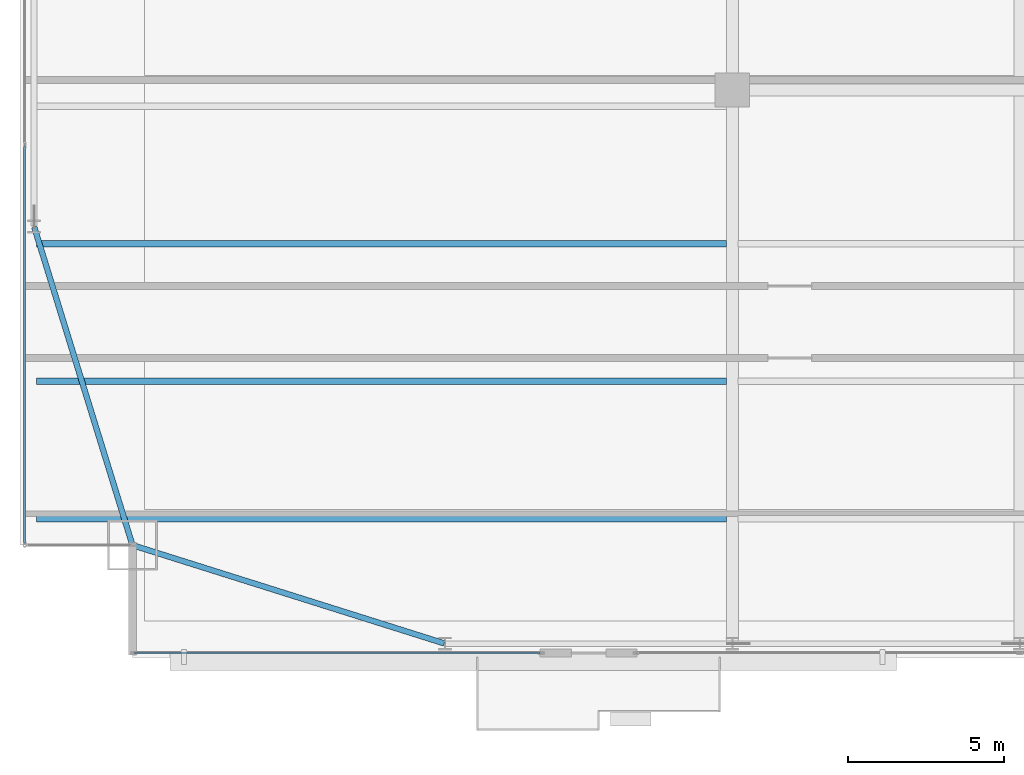
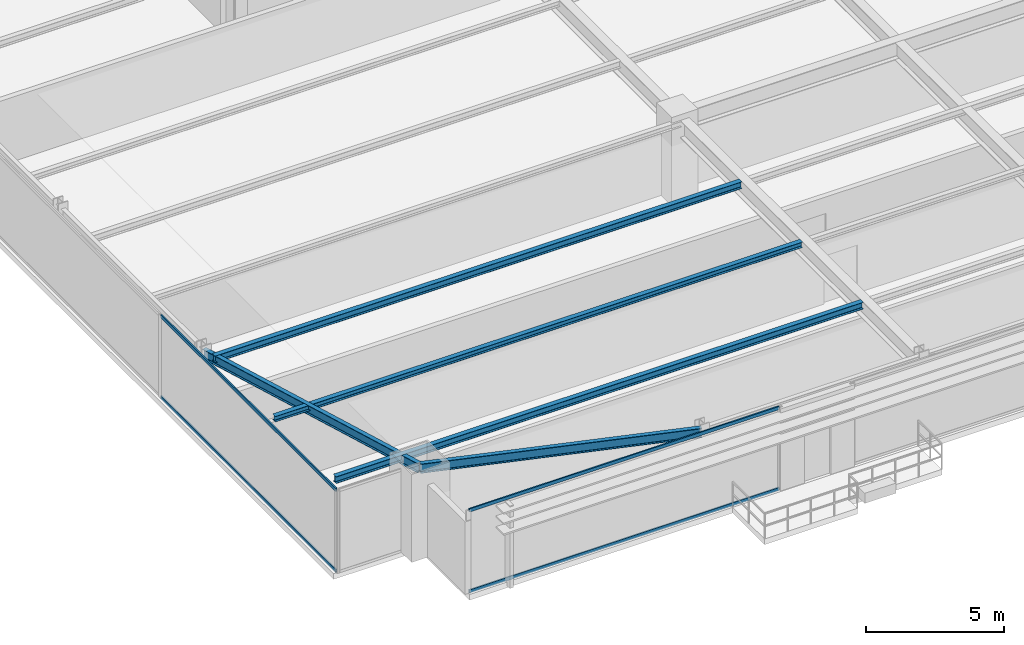
# One storey, part 4 of 31: 5 beams, 4 members, 2 elements without a shape of their own.
"""IFC4 building model written with IfcOpenShell, lengths in metres."""

from ifc_helpers import new_model, si_unit, direction, frame, origin, origin_2d, place, context, subcontext, project, spatial, hollow_rectangle, i_section, extrude, source, transform, mapped, material, layer, layer_set, material_profile, profile_set, type_object, type_shapes, element, aggregate, save


model = new_model("IFC4")

# Units and contexts
model_context = context("Model", 3, precision=1e-05, world=origin(), true_north=direction((0.0, 1.0)))
body_context = subcontext(model_context, "Body", "Model", "MODEL_VIEW")
ifc_project = project(units=[si_unit("LENGTHUNIT", "METRE"), si_unit("AREAUNIT", "SQUARE_METRE"), si_unit("VOLUMEUNIT", "CUBIC_METRE"), si_unit("PLANEANGLEUNIT", "RADIAN"), si_unit("MASSUNIT", "GRAM", prefix="KILO")], contexts=[model_context])

# Site, building, storey
site_placement = place(None, origin())
site = spatial("IfcSite", under=ifc_project, at=site_placement, CompositionType="ELEMENT")
building_placement = place(site_placement, origin())
building = spatial("IfcBuilding", under=site, at=building_placement, Name="Varnel Quay Broadcast Tower", CompositionType="ELEMENT")
storey_placement = place(building_placement, frame((0.0, 0.0, 39.300048828125)))
storey = spatial("IfcBuildingStorey", under=building, at=storey_placement, Name="L08", CompositionType="ELEMENT", Elevation=39.300048828125)

# Beams
ifc_material_1 = material(Name="Structural Steel CSA G40.21 350W", Category="steel")
ifc_material_profile_1 = material_profile(ifc_material_1, i_section(OverallWidth=0.180908203125, OverallDepth=0.4169921875, WebThickness=0.010986328125, FlangeThickness=0.018310546875, FilletRadius=0.011962890625, at=origin_2d()), Name="W410X85")
ifc_profile_set_1 = profile_set([ifc_material_profile_1], Name="Structural Steel CSA G40.21 350W")
beam_type_1 = type_object("IfcBeamType", Name="Beam_W410X85", PredefinedType="SPANDREL", material=ifc_profile_set_1)
shared_shape_1 = source(origin(), body_context, "Body", "SweptSolid", [
    extrude(i_section(OverallWidth=0.180908203125, OverallDepth=0.4169921875, WebThickness=0.010986328125, FlangeThickness=0.018310546875, FilletRadius=0.011962890625, at=origin_2d()), origin(), (0.0, 0.0, 1.0), 10.444091796875),
])
beam_1_placement = place(storey_placement, frame((5.619140625, 4.7939453125, 3.44140625), z_axis=(0.953798277271, -0.300447743003, 0.0), x_axis=(0.300447743003, 0.953798277271, 0.0)))
element("IfcBeam", 1, at=beam_1_placement, inside=storey, type_object=beam_type_1, Name="L08 South Spandrel MC-SW-TC-S1", PredefinedType="SPANDREL", context=body_context, shape_type="MappedRepresentation", body=[
    mapped(shared_shape_1, transform((0.0, 0.0, 0.0), x_axis=(1.0, 0.0, 0.0), y_axis=(0.0, 1.0, 0.0), z_axis=(0.0, 0.0, 1.0), scale=1.0)),
])
shared_shape_2 = source(origin(), body_context, "Body", "SweptSolid", [
    extrude(i_section(OverallWidth=0.180908203125, OverallDepth=0.4169921875, WebThickness=0.010986328125, FlangeThickness=0.018310546875, FilletRadius=0.011962890625, at=origin_2d()), origin(), (0.0, 0.0, 1.0), 10.635498046875),
])
type_shapes(beam_type_1, [shared_shape_1, shared_shape_2])
beam_2_placement = place(storey_placement, frame((5.593994140625, 4.819091796875, 3.44140625), z_axis=(-0.295069676324, 0.955475738108, 0.0), x_axis=(-0.955475738108, -0.295069676324, 0.0)))
element("IfcBeam", 2, at=beam_2_placement, inside=storey, type_object=beam_type_1, Name="L08 West Spandrel MC-SW-TC-W1", PredefinedType="SPANDREL", context=body_context, shape_type="MappedRepresentation", body=[
    mapped(shared_shape_2, transform((0.0, 0.0, 0.0), x_axis=(1.0, 0.0, 0.0), y_axis=(0.0, 1.0, 0.0), z_axis=(0.0, 0.0, 1.0), scale=1.0)),
])
ifc_material_profile_2 = material_profile(ifc_material_1, i_section(OverallWidth=0.202880859375, OverallDepth=0.302978515625, WebThickness=0.007568359375, FlangeThickness=0.01318359375, FilletRadius=0.011962890625, at=origin_2d()), Name="W310X60")
ifc_profile_set_2 = profile_set([ifc_material_profile_2], Name="Structural Steel CSA G40.21 350W")
beam_type_2 = type_object("IfcBeamType", Name="Beam_W310X60", PredefinedType="JOIST", material=ifc_profile_set_2)
shared_shape_3 = source(origin(), body_context, "Body", "SweptSolid", [
    extrude(i_section(OverallWidth=0.202880859375, OverallDepth=0.302978515625, WebThickness=0.007568359375, FlangeThickness=0.01318359375, FilletRadius=0.011962890625, at=origin_2d()), origin(), (0.0, 0.0, 1.0), 22.0791015625),
])
type_shapes(beam_type_2, [shared_shape_3])
for number, where, z_axis, x_axis, name in (
    (3, (2.535400390625, 5.64990234375, 3.49853515625), (1.0, 0.0, 0.0), (0.0, 1.0, 0.0), "L08 West Floor Joist 1"),
    (4, (2.535400390625, 14.449951171875, 3.49853515625), (1.0, 0.0, 0.0), (0.0, 1.0, 0.0), "L08 West Floor Joist 3"),
):
    element("IfcBeam", number, at=place(storey_placement, frame(where, z_axis=z_axis, x_axis=x_axis)), inside=storey, type_object=beam_type_2, Name=name, PredefinedType="JOIST", context=body_context, shape_type="MappedRepresentation", body=[
        mapped(shared_shape_3, transform((0.0, 0.0, 0.0), x_axis=(1.0, 0.0, 0.0), y_axis=(0.0, 1.0, 0.0), z_axis=(0.0, 0.0, 1.0), scale=1.0)),
    ])
ifc_material_profile_3 = material_profile(ifc_material_1, i_section(OverallWidth=0.201904296875, OverallDepth=0.2470703125, WebThickness=0.00732421875, FlangeThickness=0.010986328125, FilletRadius=0.010986328125, at=origin_2d()), Name="W250X49")
ifc_profile_set_3 = profile_set([ifc_material_profile_3], Name="Structural Steel CSA G40.21 350W")
beam_type_3 = type_object("IfcBeamType", Name="Beam_W250X49", PredefinedType="JOIST", material=ifc_profile_set_3)
shared_shape_4 = source(origin(), body_context, "Body", "SweptSolid", [
    extrude(i_section(OverallWidth=0.201904296875, OverallDepth=0.2470703125, WebThickness=0.00732421875, FlangeThickness=0.010986328125, FilletRadius=0.010986328125, at=origin_2d()), origin(), (0.0, 0.0, 1.0), 22.0791015625),
])
type_shapes(beam_type_3, [shared_shape_4])
beam_3_placement = place(storey_placement, frame((2.535400390625, 10.050048828125, 3.5263671875), z_axis=(1.0, 0.0, 0.0), x_axis=(0.0, 1.0, 0.0)))
element("IfcBeam", 5, at=beam_3_placement, inside=storey, type_object=beam_type_3, Name="L08 West Floor Joist 2", PredefinedType="JOIST", context=body_context, shape_type="MappedRepresentation", body=[
    mapped(shared_shape_4, transform((0.0, 0.0, 0.0), x_axis=(1.0, 0.0, 0.0), y_axis=(0.0, 1.0, 0.0), z_axis=(0.0, 0.0, 1.0), scale=1.0)),
])

# Curtain wall, members
ifc_material_2 = material(Name="Anodised Bronze Aluminium 6063-T6", Category="aluminium")
ifc_layer = layer(ifc_material_2, 0.18994140625, Name="Anodised Bronze Aluminium 6063-T6")
ifc_layer_set = layer_set([ifc_layer], Name="Anodised Bronze Aluminium 6063-T6")
curtain_wall_type = type_object("IfcCurtainWallType", Name="CW_LowerTower", PredefinedType="NOTDEFINED", material=ifc_layer_set)
curtain_wall_1_placement = place(storey_placement, origin())
curtain_wall_1 = element("IfcCurtainWall", 6, at=curtain_wall_1_placement, inside=storey, type_object=curtain_wall_type, Name="L08 South Unitised Curtain Wall 1", PredefinedType="NOTDEFINED")
ifc_material_profile_4 = material_profile(ifc_material_2, hollow_rectangle(XDim=0.06005859375, YDim=0.14501953125, WallThickness=0.00341796875, at=origin_2d()), Name="ALU60X145X3.5")
ifc_profile_set_4 = profile_set([ifc_material_profile_4], Name="Anodised Bronze Aluminium 6063-T6")
member_type = type_object("IfcMemberType", Name="Tran_CWS-02", PredefinedType="USERDEFINED", material=ifc_profile_set_4)
shared_shape_5 = source(origin(), body_context, "Body", "SweptSolid", [
    extrude(hollow_rectangle(XDim=0.06005859375, YDim=0.14501953125, WallThickness=0.00341796875, at=origin_2d()), origin(), (0.0, 0.0, 1.0), 12.97998046875),
])
member_1_placement = place(storey_placement, frame((5.669921875, 1.35009765625, 0.030029296875), z_axis=(1.0, 0.0, 0.0), x_axis=(0.0, 1.0, 0.0)))
member_1 = element("IfcMember", 7, at=member_1_placement, type_object=member_type, Name="CWS-02 transom 1.1", ObjectType="TRANSOM", PredefinedType="USERDEFINED", context=body_context, shape_type="MappedRepresentation", body=[
    mapped(shared_shape_5, transform((0.0, 0.0, 0.0), x_axis=(1.0, 0.0, 0.0), y_axis=(0.0, 1.0, 0.0), z_axis=(0.0, 0.0, 1.0), scale=1.0)),
])
member_2_placement = place(storey_placement, frame((5.669921875, 1.35009765625, 3.619873046875), z_axis=(1.0, 0.0, 0.0), x_axis=(0.0, 1.0, 0.0)))
member_2 = element("IfcMember", 8, at=member_2_placement, type_object=member_type, Name="CWS-02 transom 1.2", ObjectType="TRANSOM", PredefinedType="USERDEFINED", context=body_context, shape_type="MappedRepresentation", body=[
    mapped(shared_shape_5, transform((0.0, 0.0, 0.0), x_axis=(1.0, 0.0, 0.0), y_axis=(0.0, 1.0, 0.0), z_axis=(0.0, 0.0, 1.0), scale=1.0)),
])
aggregate(curtain_wall_1, [member_1, member_2])

curtain_wall_2_placement = place(storey_placement, origin())
curtain_wall_2 = element("IfcCurtainWall", 9, at=curtain_wall_2_placement, inside=storey, type_object=curtain_wall_type, Name="L08 West Unitised Curtain Wall", PredefinedType="NOTDEFINED")
shared_shape_6 = source(origin(), body_context, "Body", "SweptSolid", [
    extrude(hollow_rectangle(XDim=0.06005859375, YDim=0.14501953125, WallThickness=0.00341796875, at=origin_2d()), origin(), (0.0, 0.0, 1.0), 12.69482421875),
])
type_shapes(member_type, [shared_shape_5, shared_shape_6])
member_3_placement = place(storey_placement, frame((2.14990234375, 4.8701171875, 0.030029296875), z_axis=(0.0, 1.0, 0.0), x_axis=(-1.0, 0.0, 0.0)))
member_3 = element("IfcMember", 10, at=member_3_placement, type_object=member_type, Name="CWS-02 transom 1.1", ObjectType="TRANSOM", PredefinedType="USERDEFINED", context=body_context, shape_type="MappedRepresentation", body=[
    mapped(shared_shape_6, transform((0.0, 0.0, 0.0), x_axis=(1.0, 0.0, 0.0), y_axis=(0.0, 1.0, 0.0), z_axis=(0.0, 0.0, 1.0), scale=1.0)),
])
member_4_placement = place(storey_placement, frame((2.14990234375, 4.8701171875, 3.619873046875), z_axis=(0.0, 1.0, 0.0), x_axis=(-1.0, 0.0, 0.0)))
member_4 = element("IfcMember", 11, at=member_4_placement, type_object=member_type, Name="CWS-02 transom 1.2", ObjectType="TRANSOM", PredefinedType="USERDEFINED", context=body_context, shape_type="MappedRepresentation", body=[
    mapped(shared_shape_6, transform((0.0, 0.0, 0.0), x_axis=(1.0, 0.0, 0.0), y_axis=(0.0, 1.0, 0.0), z_axis=(0.0, 0.0, 1.0), scale=1.0)),
])
aggregate(curtain_wall_2, [member_3, member_4])

save(model, "model.ifc")
